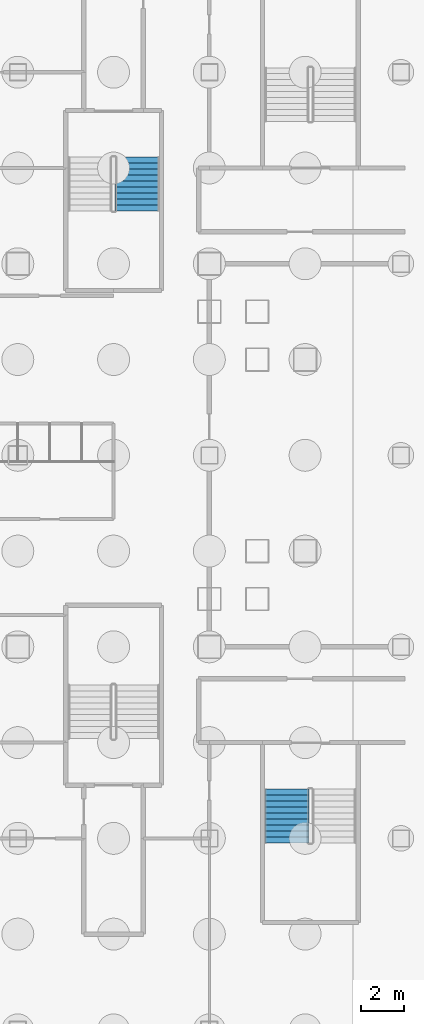
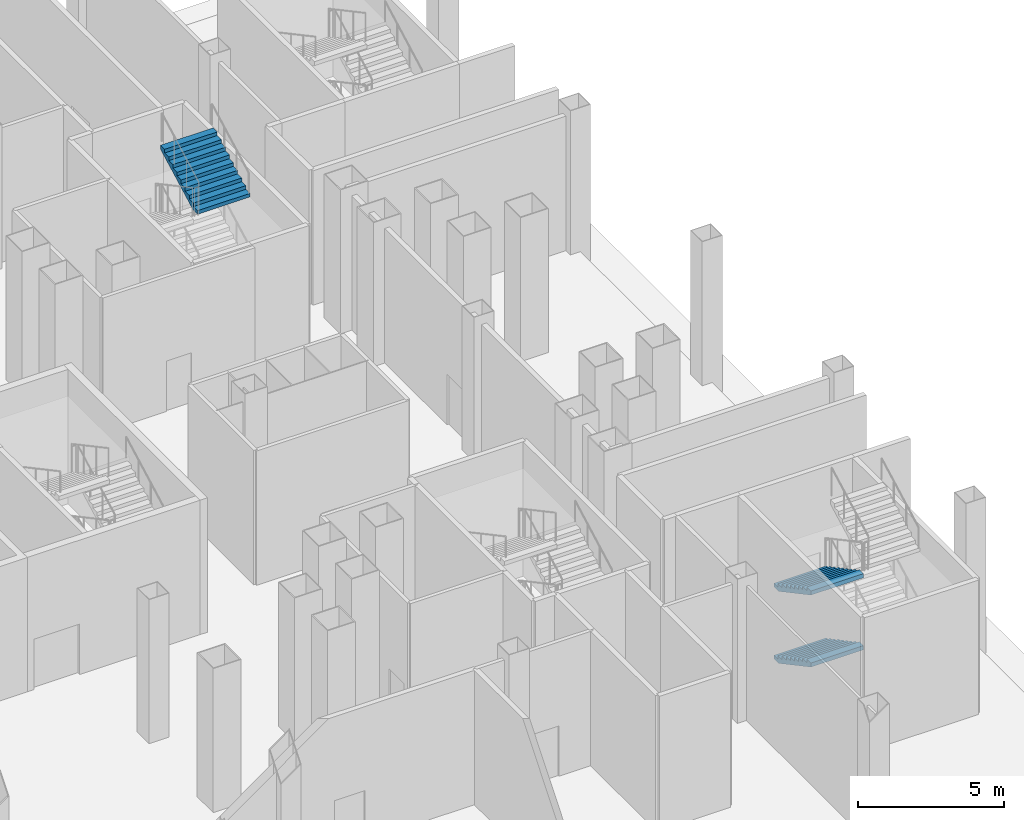
# One storey, part 17 of 25: 3 stair flights, 2 elements without a shape of their own.
"""IFC4 building model written with IfcOpenShell, lengths in metres."""

from ifc_helpers import new_model, si_unit, direction, frame, origin, place, context, subcontext, project, spatial, polygons, material, type_object, element, aggregate, save


model = new_model("IFC4")

# Units and contexts
model_context = context("Model", 3, precision=1e-05, world=origin(), true_north=direction((0.0, 1.0)))
body_context = subcontext(model_context, "Body", "Model", "MODEL_VIEW")
ifc_project = project(units=[si_unit("LENGTHUNIT", "METRE"), si_unit("AREAUNIT", "SQUARE_METRE"), si_unit("VOLUMEUNIT", "CUBIC_METRE"), si_unit("PLANEANGLEUNIT", "RADIAN"), si_unit("MASSUNIT", "GRAM", prefix="KILO")], contexts=[model_context])

# Site, building, storey
site_placement = place(None, origin())
site = spatial("IfcSite", under=ifc_project, at=site_placement, CompositionType="ELEMENT")
building_placement = place(site_placement, origin())
building = spatial("IfcBuilding", under=site, at=building_placement, Name="Caravel Reach Hotel and Residences", CompositionType="ELEMENT")
storey_placement = place(building_placement, frame((0.0, 0.0, -6.0)))
storey = spatial("IfcBuildingStorey", under=building, at=storey_placement, Name="B1", CompositionType="ELEMENT", Elevation=-6.0)

# Stair, stair flight
ifc_material_1 = material(Name="Concrete C40", Category="concrete")
stair_type = type_object("IfcStairType", Name="Core stair", PredefinedType="HALF_TURN_STAIR", material=ifc_material_1)
stair_1_placement = place(storey_placement, origin())
stair_1 = element("IfcStair", 1, at=stair_1_placement, inside=storey, type_object=stair_type, Name="B1 Exit stair P2", PredefinedType="HALF_TURN_STAIR")
ifc_material_2 = material(Name="Concrete C40", Category="concrete")
stair_flight_type = type_object("IfcStairFlightType", Name="Core stair flight", PredefinedType="STRAIGHT", material=ifc_material_2)
stair_flight_1_placement = place(storey_placement, frame((55.110107421875, 38.489990234375, 4.5), z_axis=(0.0, 0.0, 1.0), x_axis=(0.0, 1.0, 0.0)))
stair_flight_1 = element("IfcStairFlight", 2, at=stair_flight_1_placement, type_object=stair_flight_type, Name="ST-P2 flight 4", NumberOfRisers=10, NumberOfTreads=9, PredefinedType="STRAIGHT", RiserHeight=0.15, TreadLength=0.28, context=body_context, shape_type="Tessellation", body=[
    polygons([(0.3174408016601862, 1.0350341796875, 0.0), (0.3174408016601862, 0.6900227864583333, 0.0), (0.3174408016601862, 0.34501139322916663, 0.0), (0.3174408016601862, 0.0, 0.0), (0.3174408016601862, -0.34501139322916674, 0.0), (0.3174408016601862, -0.6900227864583333, 0.0), (0.3174408016601862, -1.0350341796875, 0.0), (2.5210000000000004, 1.0350341796875, 1.1799424276820432), (2.5210000000000004, 0.6900227864583333, 1.1799424276820432), (2.5210000000000004, 0.34501139322916663, 1.1799424276820432), (2.5210000000000004, 0.0, 1.1799424276820432), (2.5210000000000004, -0.34501139322916674, 1.1799424276820432), (2.5210000000000004, -0.6900227864583333, 1.1799424276820432), (2.5210000000000004, -1.0350341796875, 1.1799424276820432), (2.5210000000000004, 1.0350341796875, 1.3499999999999999), (2.5210000000000004, 0.6900227864583333, 1.3499999999999999), (2.5210000000000004, 0.34501139322916663, 1.3499999999999999), (2.5210000000000004, 0.0, 1.3499999999999999), (2.5210000000000004, -0.34501139322916674, 1.3499999999999999), (2.5210000000000004, -0.6900227864583333, 1.3499999999999999), (2.5210000000000004, -1.0350341796875, 1.3499999999999999), (2.24, 1.0350341796875, 1.3499999999999999), (2.24, 0.6900227864583333, 1.3499999999999999), (2.24, 0.34501139322916663, 1.3499999999999999), (2.24, 0.0, 1.3499999999999999), (2.24, -0.34501139322916674, 1.3499999999999999), (2.24, -0.6900227864583333, 1.3499999999999999), (2.24, -1.0350341796875, 1.3499999999999999), (2.24, 1.0350341796875, 1.2), (2.24, 0.6900227864583333, 1.2), (2.24, 0.34501139322916663, 1.2), (2.24, 0.0, 1.2), (2.24, -0.34501139322916674, 1.2), (2.24, -0.6900227864583333, 1.2), (2.24, -1.0350341796875, 1.2), (1.9600000000000002, 1.0350341796875, 1.2), (1.9600000000000002, 0.6900227864583333, 1.2), (1.9600000000000002, 0.34501139322916663, 1.2), (1.9600000000000002, 0.0, 1.2), (1.9600000000000002, -0.34501139322916674, 1.2), (1.9600000000000002, -0.6900227864583333, 1.2), (1.9600000000000002, -1.0350341796875, 1.2), (1.9600000000000002, 1.0350341796875, 1.05), (1.9600000000000002, 0.6900227864583333, 1.05), (1.9600000000000002, 0.34501139322916663, 1.05), (1.9600000000000002, 0.0, 1.05), (1.9600000000000002, -0.34501139322916674, 1.05), (1.9600000000000002, -0.6900227864583333, 1.05), (1.9600000000000002, -1.0350341796875, 1.05), (1.6800000000000002, 1.0350341796875, 1.05), (1.6800000000000002, 0.6900227864583333, 1.05), (1.6800000000000002, 0.34501139322916663, 1.05), (1.6800000000000002, 0.0, 1.05), (1.6800000000000002, -0.34501139322916674, 1.05), (1.6800000000000002, -0.6900227864583333, 1.05), (1.6800000000000002, -1.0350341796875, 1.05), (1.6800000000000002, 1.0350341796875, 0.8999999999999999), (1.6800000000000002, 0.6900227864583333, 0.8999999999999999), (1.6800000000000002, 0.34501139322916663, 0.8999999999999999), (1.6800000000000002, 0.0, 0.8999999999999999), (1.6800000000000002, -0.34501139322916674, 0.8999999999999999), (1.6800000000000002, -0.6900227864583333, 0.8999999999999999), (1.6800000000000002, -1.0350341796875, 0.8999999999999999), (1.4000000000000001, 1.0350341796875, 0.8999999999999999), (1.4000000000000001, 0.6900227864583333, 0.8999999999999999), (1.4000000000000001, 0.34501139322916663, 0.8999999999999999), (1.4000000000000001, 0.0, 0.8999999999999999), (1.4000000000000001, -0.34501139322916674, 0.8999999999999999), (1.4000000000000001, -0.6900227864583333, 0.8999999999999999), (1.4000000000000001, -1.0350341796875, 0.8999999999999999), (1.4000000000000001, 1.0350341796875, 0.75), (1.4000000000000001, 0.6900227864583333, 0.75), (1.4000000000000001, 0.34501139322916663, 0.75), (1.4000000000000001, 0.0, 0.75), (1.4000000000000001, -0.34501139322916674, 0.75), (1.4000000000000001, -0.6900227864583333, 0.75), (1.4000000000000001, -1.0350341796875, 0.75), (1.12, 1.0350341796875, 0.75), (1.12, 0.6900227864583333, 0.75), (1.12, 0.34501139322916663, 0.75), (1.12, 0.0, 0.75), (1.12, -0.34501139322916674, 0.75), (1.12, -0.6900227864583333, 0.75), (1.12, -1.0350341796875, 0.75), (1.12, 1.0350341796875, 0.6), (1.12, 0.6900227864583333, 0.6), (1.12, 0.34501139322916663, 0.6), (1.12, 0.0, 0.6), (1.12, -0.34501139322916674, 0.6), (1.12, -0.6900227864583333, 0.6), (1.12, -1.0350341796875, 0.6), (0.8400000000000001, 1.0350341796875, 0.6), (0.8400000000000001, 0.6900227864583333, 0.6), (0.8400000000000001, 0.34501139322916663, 0.6), (0.8400000000000001, 0.0, 0.6), (0.8400000000000001, -0.34501139322916674, 0.6), (0.8400000000000001, -0.6900227864583333, 0.6), (0.8400000000000001, -1.0350341796875, 0.6), (0.8400000000000001, 1.0350341796875, 0.44999999999999996), (0.8400000000000001, 0.6900227864583333, 0.44999999999999996), (0.8400000000000001, 0.34501139322916663, 0.44999999999999996), (0.8400000000000001, 0.0, 0.44999999999999996), (0.8400000000000001, -0.34501139322916674, 0.44999999999999996), (0.8400000000000001, -0.6900227864583333, 0.44999999999999996), (0.8400000000000001, -1.0350341796875, 0.44999999999999996), (0.56, 1.0350341796875, 0.44999999999999996), (0.56, 0.6900227864583333, 0.44999999999999996), (0.56, 0.34501139322916663, 0.44999999999999996), (0.56, 0.0, 0.44999999999999996), (0.56, -0.34501139322916674, 0.44999999999999996), (0.56, -0.6900227864583333, 0.44999999999999996), (0.56, -1.0350341796875, 0.44999999999999996), (0.56, 1.0350341796875, 0.3), (0.56, 0.6900227864583333, 0.3), (0.56, 0.34501139322916663, 0.3), (0.56, 0.0, 0.3), (0.56, -0.34501139322916674, 0.3), (0.56, -0.6900227864583333, 0.3), (0.56, -1.0350341796875, 0.3), (0.28, 1.0350341796875, 0.3), (0.28, 0.6900227864583333, 0.3), (0.28, 0.34501139322916663, 0.3), (0.28, 0.0, 0.3), (0.28, -0.34501139322916674, 0.3), (0.28, -0.6900227864583333, 0.3), (0.28, -1.0350341796875, 0.3), (0.28, 1.0350341796875, 0.15), (0.28, 0.6900227864583333, 0.15), (0.28, 0.34501139322916663, 0.15), (0.28, 0.0, 0.15), (0.28, -0.34501139322916674, 0.15), (0.28, -0.6900227864583333, 0.15), (0.28, -1.0350341796875, 0.15), (-0.001, 1.0350341796875, 0.15), (-0.001, 0.6900227864583333, 0.15), (-0.001, 0.34501139322916663, 0.15), (-0.001, 0.0, 0.15), (-0.001, -0.34501139322916674, 0.15), (-0.001, -0.6900227864583333, 0.15), (-0.001, -1.0350341796875, 0.15), (-0.001, 1.0350341796875, 0.0), (-0.001, 0.6900227864583333, 0.0), (-0.001, 0.34501139322916663, 0.0), (-0.001, 0.0, 0.0), (-0.001, -0.34501139322916674, 0.0), (-0.001, -0.6900227864583333, 0.0), (-0.001, -1.0350341796875, 0.0)], [[[141, 134, 127, 120, 113, 106, 99, 92, 85, 78, 71, 64, 57, 50, 43, 36, 29, 22, 15, 8, 1]], [[7, 14, 21, 28, 35, 42, 49, 56, 63, 70, 77, 84, 91, 98, 105, 112, 119, 126, 133, 140, 147]], [[1, 8, 9, 2]], [[2, 9, 10, 3]], [[3, 10, 11, 4]], [[4, 11, 12, 5]], [[5, 12, 13, 6]], [[6, 13, 14, 7]], [[8, 15, 16, 9]], [[9, 16, 17, 10]], [[10, 17, 18, 11]], [[11, 18, 19, 12]], [[12, 19, 20, 13]], [[13, 20, 21, 14]], [[15, 22, 23, 16]], [[16, 23, 24, 17]], [[17, 24, 25, 18]], [[18, 25, 26, 19]], [[19, 26, 27, 20]], [[20, 27, 28, 21]], [[22, 29, 30, 23]], [[23, 30, 31, 24]], [[24, 31, 32, 25]], [[25, 32, 33, 26]], [[26, 33, 34, 27]], [[27, 34, 35, 28]], [[29, 36, 37, 30]], [[30, 37, 38, 31]], [[31, 38, 39, 32]], [[32, 39, 40, 33]], [[33, 40, 41, 34]], [[34, 41, 42, 35]], [[36, 43, 44, 37]], [[37, 44, 45, 38]], [[38, 45, 46, 39]], [[39, 46, 47, 40]], [[40, 47, 48, 41]], [[41, 48, 49, 42]], [[43, 50, 51, 44]], [[44, 51, 52, 45]], [[45, 52, 53, 46]], [[46, 53, 54, 47]], [[47, 54, 55, 48]], [[48, 55, 56, 49]], [[50, 57, 58, 51]], [[51, 58, 59, 52]], [[52, 59, 60, 53]], [[53, 60, 61, 54]], [[54, 61, 62, 55]], [[55, 62, 63, 56]], [[57, 64, 65, 58]], [[58, 65, 66, 59]], [[59, 66, 67, 60]], [[60, 67, 68, 61]], [[61, 68, 69, 62]], [[62, 69, 70, 63]], [[64, 71, 72, 65]], [[65, 72, 73, 66]], [[66, 73, 74, 67]], [[67, 74, 75, 68]], [[68, 75, 76, 69]], [[69, 76, 77, 70]], [[71, 78, 79, 72]], [[72, 79, 80, 73]], [[73, 80, 81, 74]], [[74, 81, 82, 75]], [[75, 82, 83, 76]], [[76, 83, 84, 77]], [[78, 85, 86, 79]], [[79, 86, 87, 80]], [[80, 87, 88, 81]], [[81, 88, 89, 82]], [[82, 89, 90, 83]], [[83, 90, 91, 84]], [[85, 92, 93, 86]], [[86, 93, 94, 87]], [[87, 94, 95, 88]], [[88, 95, 96, 89]], [[89, 96, 97, 90]], [[90, 97, 98, 91]], [[92, 99, 100, 93]], [[93, 100, 101, 94]], [[94, 101, 102, 95]], [[95, 102, 103, 96]], [[96, 103, 104, 97]], [[97, 104, 105, 98]], [[99, 106, 107, 100]], [[100, 107, 108, 101]], [[101, 108, 109, 102]], [[102, 109, 110, 103]], [[103, 110, 111, 104]], [[104, 111, 112, 105]], [[106, 113, 114, 107]], [[107, 114, 115, 108]], [[108, 115, 116, 109]], [[109, 116, 117, 110]], [[110, 117, 118, 111]], [[111, 118, 119, 112]], [[113, 120, 121, 114]], [[114, 121, 122, 115]], [[115, 122, 123, 116]], [[116, 123, 124, 117]], [[117, 124, 125, 118]], [[118, 125, 126, 119]], [[120, 127, 128, 121]], [[121, 128, 129, 122]], [[122, 129, 130, 123]], [[123, 130, 131, 124]], [[124, 131, 132, 125]], [[125, 132, 133, 126]], [[127, 134, 135, 128]], [[128, 135, 136, 129]], [[129, 136, 137, 130]], [[130, 137, 138, 131]], [[131, 138, 139, 132]], [[132, 139, 140, 133]], [[134, 141, 142, 135]], [[135, 142, 143, 136]], [[136, 143, 144, 137]], [[137, 144, 145, 138]], [[138, 145, 146, 139]], [[139, 146, 147, 140]], [[141, 1, 2, 142]], [[142, 2, 3, 143]], [[143, 3, 4, 144]], [[144, 4, 5, 145]], [[145, 5, 6, 146]], [[146, 6, 7, 147]]], closed=True),
])
aggregate(stair_1, [stair_flight_1])

# Stair, stair flights
stair_2_placement = place(storey_placement, origin())
stair_2 = element("IfcStair", 3, at=stair_2_placement, inside=storey, type_object=stair_type, Name="B1 Exit stair P7", PredefinedType="HALF_TURN_STAIR")
stair_flight_2_placement = place(storey_placement, frame((62.139892578125, 11.31005859375, 0.0), z_axis=(0.0, 0.0, 1.0), x_axis=(0.0, -1.0, 0.0)))
stair_flight_2 = element("IfcStairFlight", 4, at=stair_flight_2_placement, type_object=stair_flight_type, Name="ST-P7 flight 1", NumberOfRisers=10, NumberOfTreads=9, PredefinedType="STRAIGHT", RiserHeight=0.15, TreadLength=0.28, context=body_context, shape_type="Tessellation", body=[
    polygons([(0.3174408016601862, 1.0350341796875, 0.0), (0.3174408016601862, 0.6900227864583333, 0.0), (0.3174408016601862, 0.34501139322916663, 0.0), (0.3174408016601862, 0.0, 0.0), (0.3174408016601862, -0.34501139322916674, 0.0), (0.3174408016601862, -0.6900227864583333, 0.0), (0.3174408016601862, -1.0350341796875, 0.0), (2.5210000000000004, 1.0350341796875, 1.1799424276820432), (2.5210000000000004, 0.6900227864583333, 1.1799424276820432), (2.5210000000000004, 0.34501139322916663, 1.1799424276820432), (2.5210000000000004, 0.0, 1.1799424276820432), (2.5210000000000004, -0.34501139322916674, 1.1799424276820432), (2.5210000000000004, -0.6900227864583333, 1.1799424276820432), (2.5210000000000004, -1.0350341796875, 1.1799424276820432), (2.5210000000000004, 1.0350341796875, 1.3499999999999999), (2.5210000000000004, 0.6900227864583333, 1.3499999999999999), (2.5210000000000004, 0.34501139322916663, 1.3499999999999999), (2.5210000000000004, 0.0, 1.3499999999999999), (2.5210000000000004, -0.34501139322916674, 1.3499999999999999), (2.5210000000000004, -0.6900227864583333, 1.3499999999999999), (2.5210000000000004, -1.0350341796875, 1.3499999999999999), (2.24, 1.0350341796875, 1.3499999999999999), (2.24, 0.6900227864583333, 1.3499999999999999), (2.24, 0.34501139322916663, 1.3499999999999999), (2.24, 0.0, 1.3499999999999999), (2.24, -0.34501139322916674, 1.3499999999999999), (2.24, -0.6900227864583333, 1.3499999999999999), (2.24, -1.0350341796875, 1.3499999999999999), (2.24, 1.0350341796875, 1.2), (2.24, 0.6900227864583333, 1.2), (2.24, 0.34501139322916663, 1.2), (2.24, 0.0, 1.2), (2.24, -0.34501139322916674, 1.2), (2.24, -0.6900227864583333, 1.2), (2.24, -1.0350341796875, 1.2), (1.9600000000000002, 1.0350341796875, 1.2), (1.9600000000000002, 0.6900227864583333, 1.2), (1.9600000000000002, 0.34501139322916663, 1.2), (1.9600000000000002, 0.0, 1.2), (1.9600000000000002, -0.34501139322916674, 1.2), (1.9600000000000002, -0.6900227864583333, 1.2), (1.9600000000000002, -1.0350341796875, 1.2), (1.9600000000000002, 1.0350341796875, 1.05), (1.9600000000000002, 0.6900227864583333, 1.05), (1.9600000000000002, 0.34501139322916663, 1.05), (1.9600000000000002, 0.0, 1.05), (1.9600000000000002, -0.34501139322916674, 1.05), (1.9600000000000002, -0.6900227864583333, 1.05), (1.9600000000000002, -1.0350341796875, 1.05), (1.6800000000000002, 1.0350341796875, 1.05), (1.6800000000000002, 0.6900227864583333, 1.05), (1.6800000000000002, 0.34501139322916663, 1.05), (1.6800000000000002, 0.0, 1.05), (1.6800000000000002, -0.34501139322916674, 1.05), (1.6800000000000002, -0.6900227864583333, 1.05), (1.6800000000000002, -1.0350341796875, 1.05), (1.6800000000000002, 1.0350341796875, 0.8999999999999999), (1.6800000000000002, 0.6900227864583333, 0.8999999999999999), (1.6800000000000002, 0.34501139322916663, 0.8999999999999999), (1.6800000000000002, 0.0, 0.8999999999999999), (1.6800000000000002, -0.34501139322916674, 0.8999999999999999), (1.6800000000000002, -0.6900227864583333, 0.8999999999999999), (1.6800000000000002, -1.0350341796875, 0.8999999999999999), (1.4000000000000001, 1.0350341796875, 0.8999999999999999), (1.4000000000000001, 0.6900227864583333, 0.8999999999999999), (1.4000000000000001, 0.34501139322916663, 0.8999999999999999), (1.4000000000000001, 0.0, 0.8999999999999999), (1.4000000000000001, -0.34501139322916674, 0.8999999999999999), (1.4000000000000001, -0.6900227864583333, 0.8999999999999999), (1.4000000000000001, -1.0350341796875, 0.8999999999999999), (1.4000000000000001, 1.0350341796875, 0.75), (1.4000000000000001, 0.6900227864583333, 0.75), (1.4000000000000001, 0.34501139322916663, 0.75), (1.4000000000000001, 0.0, 0.75), (1.4000000000000001, -0.34501139322916674, 0.75), (1.4000000000000001, -0.6900227864583333, 0.75), (1.4000000000000001, -1.0350341796875, 0.75), (1.12, 1.0350341796875, 0.75), (1.12, 0.6900227864583333, 0.75), (1.12, 0.34501139322916663, 0.75), (1.12, 0.0, 0.75), (1.12, -0.34501139322916674, 0.75), (1.12, -0.6900227864583333, 0.75), (1.12, -1.0350341796875, 0.75), (1.12, 1.0350341796875, 0.6), (1.12, 0.6900227864583333, 0.6), (1.12, 0.34501139322916663, 0.6), (1.12, 0.0, 0.6), (1.12, -0.34501139322916674, 0.6), (1.12, -0.6900227864583333, 0.6), (1.12, -1.0350341796875, 0.6), (0.8400000000000001, 1.0350341796875, 0.6), (0.8400000000000001, 0.6900227864583333, 0.6), (0.8400000000000001, 0.34501139322916663, 0.6), (0.8400000000000001, 0.0, 0.6), (0.8400000000000001, -0.34501139322916674, 0.6), (0.8400000000000001, -0.6900227864583333, 0.6), (0.8400000000000001, -1.0350341796875, 0.6), (0.8400000000000001, 1.0350341796875, 0.44999999999999996), (0.8400000000000001, 0.6900227864583333, 0.44999999999999996), (0.8400000000000001, 0.34501139322916663, 0.44999999999999996), (0.8400000000000001, 0.0, 0.44999999999999996), (0.8400000000000001, -0.34501139322916674, 0.44999999999999996), (0.8400000000000001, -0.6900227864583333, 0.44999999999999996), (0.8400000000000001, -1.0350341796875, 0.44999999999999996), (0.56, 1.0350341796875, 0.44999999999999996), (0.56, 0.6900227864583333, 0.44999999999999996), (0.56, 0.34501139322916663, 0.44999999999999996), (0.56, 0.0, 0.44999999999999996), (0.56, -0.34501139322916674, 0.44999999999999996), (0.56, -0.6900227864583333, 0.44999999999999996), (0.56, -1.0350341796875, 0.44999999999999996), (0.56, 1.0350341796875, 0.3), (0.56, 0.6900227864583333, 0.3), (0.56, 0.34501139322916663, 0.3), (0.56, 0.0, 0.3), (0.56, -0.34501139322916674, 0.3), (0.56, -0.6900227864583333, 0.3), (0.56, -1.0350341796875, 0.3), (0.28, 1.0350341796875, 0.3), (0.28, 0.6900227864583333, 0.3), (0.28, 0.34501139322916663, 0.3), (0.28, 0.0, 0.3), (0.28, -0.34501139322916674, 0.3), (0.28, -0.6900227864583333, 0.3), (0.28, -1.0350341796875, 0.3), (0.28, 1.0350341796875, 0.15), (0.28, 0.6900227864583333, 0.15), (0.28, 0.34501139322916663, 0.15), (0.28, 0.0, 0.15), (0.28, -0.34501139322916674, 0.15), (0.28, -0.6900227864583333, 0.15), (0.28, -1.0350341796875, 0.15), (-0.001, 1.0350341796875, 0.15), (-0.001, 0.6900227864583333, 0.15), (-0.001, 0.34501139322916663, 0.15), (-0.001, 0.0, 0.15), (-0.001, -0.34501139322916674, 0.15), (-0.001, -0.6900227864583333, 0.15), (-0.001, -1.0350341796875, 0.15), (-0.001, 1.0350341796875, 0.0), (-0.001, 0.6900227864583333, 0.0), (-0.001, 0.34501139322916663, 0.0), (-0.001, 0.0, 0.0), (-0.001, -0.34501139322916674, 0.0), (-0.001, -0.6900227864583333, 0.0), (-0.001, -1.0350341796875, 0.0)], [[[141, 134, 127, 120, 113, 106, 99, 92, 85, 78, 71, 64, 57, 50, 43, 36, 29, 22, 15, 8, 1]], [[7, 14, 21, 28, 35, 42, 49, 56, 63, 70, 77, 84, 91, 98, 105, 112, 119, 126, 133, 140, 147]], [[1, 8, 9, 2]], [[2, 9, 10, 3]], [[3, 10, 11, 4]], [[4, 11, 12, 5]], [[5, 12, 13, 6]], [[6, 13, 14, 7]], [[8, 15, 16, 9]], [[9, 16, 17, 10]], [[10, 17, 18, 11]], [[11, 18, 19, 12]], [[12, 19, 20, 13]], [[13, 20, 21, 14]], [[15, 22, 23, 16]], [[16, 23, 24, 17]], [[17, 24, 25, 18]], [[18, 25, 26, 19]], [[19, 26, 27, 20]], [[20, 27, 28, 21]], [[22, 29, 30, 23]], [[23, 30, 31, 24]], [[24, 31, 32, 25]], [[25, 32, 33, 26]], [[26, 33, 34, 27]], [[27, 34, 35, 28]], [[29, 36, 37, 30]], [[30, 37, 38, 31]], [[31, 38, 39, 32]], [[32, 39, 40, 33]], [[33, 40, 41, 34]], [[34, 41, 42, 35]], [[36, 43, 44, 37]], [[37, 44, 45, 38]], [[38, 45, 46, 39]], [[39, 46, 47, 40]], [[40, 47, 48, 41]], [[41, 48, 49, 42]], [[43, 50, 51, 44]], [[44, 51, 52, 45]], [[45, 52, 53, 46]], [[46, 53, 54, 47]], [[47, 54, 55, 48]], [[48, 55, 56, 49]], [[50, 57, 58, 51]], [[51, 58, 59, 52]], [[52, 59, 60, 53]], [[53, 60, 61, 54]], [[54, 61, 62, 55]], [[55, 62, 63, 56]], [[57, 64, 65, 58]], [[58, 65, 66, 59]], [[59, 66, 67, 60]], [[60, 67, 68, 61]], [[61, 68, 69, 62]], [[62, 69, 70, 63]], [[64, 71, 72, 65]], [[65, 72, 73, 66]], [[66, 73, 74, 67]], [[67, 74, 75, 68]], [[68, 75, 76, 69]], [[69, 76, 77, 70]], [[71, 78, 79, 72]], [[72, 79, 80, 73]], [[73, 80, 81, 74]], [[74, 81, 82, 75]], [[75, 82, 83, 76]], [[76, 83, 84, 77]], [[78, 85, 86, 79]], [[79, 86, 87, 80]], [[80, 87, 88, 81]], [[81, 88, 89, 82]], [[82, 89, 90, 83]], [[83, 90, 91, 84]], [[85, 92, 93, 86]], [[86, 93, 94, 87]], [[87, 94, 95, 88]], [[88, 95, 96, 89]], [[89, 96, 97, 90]], [[90, 97, 98, 91]], [[92, 99, 100, 93]], [[93, 100, 101, 94]], [[94, 101, 102, 95]], [[95, 102, 103, 96]], [[96, 103, 104, 97]], [[97, 104, 105, 98]], [[99, 106, 107, 100]], [[100, 107, 108, 101]], [[101, 108, 109, 102]], [[102, 109, 110, 103]], [[103, 110, 111, 104]], [[104, 111, 112, 105]], [[106, 113, 114, 107]], [[107, 114, 115, 108]], [[108, 115, 116, 109]], [[109, 116, 117, 110]], [[110, 117, 118, 111]], [[111, 118, 119, 112]], [[113, 120, 121, 114]], [[114, 121, 122, 115]], [[115, 122, 123, 116]], [[116, 123, 124, 117]], [[117, 124, 125, 118]], [[118, 125, 126, 119]], [[120, 127, 128, 121]], [[121, 128, 129, 122]], [[122, 129, 130, 123]], [[123, 130, 131, 124]], [[124, 131, 132, 125]], [[125, 132, 133, 126]], [[127, 134, 135, 128]], [[128, 135, 136, 129]], [[129, 136, 137, 130]], [[130, 137, 138, 131]], [[131, 138, 139, 132]], [[132, 139, 140, 133]], [[134, 141, 142, 135]], [[135, 142, 143, 136]], [[136, 143, 144, 137]], [[137, 144, 145, 138]], [[138, 145, 146, 139]], [[139, 146, 147, 140]], [[141, 1, 2, 142]], [[142, 2, 3, 143]], [[143, 3, 4, 144]], [[144, 4, 5, 145]], [[145, 5, 6, 146]], [[146, 6, 7, 147]]], closed=True),
])
stair_flight_3_placement = place(storey_placement, frame((62.139892578125, 11.31005859375, 3.0), z_axis=(0.0, 0.0, 1.0), x_axis=(0.0, -1.0, 0.0)))
stair_flight_3 = element("IfcStairFlight", 5, at=stair_flight_3_placement, type_object=stair_flight_type, Name="ST-P7 flight 3", NumberOfRisers=10, NumberOfTreads=9, PredefinedType="STRAIGHT", RiserHeight=0.15, TreadLength=0.28, context=body_context, shape_type="Tessellation", body=[
    polygons([(0.3174408016601862, 1.0350341796875, 0.0), (0.3174408016601862, 0.6900227864583333, 0.0), (0.3174408016601862, 0.34501139322916663, 0.0), (0.3174408016601862, 0.0, 0.0), (0.3174408016601862, -0.34501139322916674, 0.0), (0.3174408016601862, -0.6900227864583333, 0.0), (0.3174408016601862, -1.0350341796875, 0.0), (2.5210000000000004, 1.0350341796875, 1.1799424276820432), (2.5210000000000004, 0.6900227864583333, 1.1799424276820432), (2.5210000000000004, 0.34501139322916663, 1.1799424276820432), (2.5210000000000004, 0.0, 1.1799424276820432), (2.5210000000000004, -0.34501139322916674, 1.1799424276820432), (2.5210000000000004, -0.6900227864583333, 1.1799424276820432), (2.5210000000000004, -1.0350341796875, 1.1799424276820432), (2.5210000000000004, 1.0350341796875, 1.3499999999999999), (2.5210000000000004, 0.6900227864583333, 1.3499999999999999), (2.5210000000000004, 0.34501139322916663, 1.3499999999999999), (2.5210000000000004, 0.0, 1.3499999999999999), (2.5210000000000004, -0.34501139322916674, 1.3499999999999999), (2.5210000000000004, -0.6900227864583333, 1.3499999999999999), (2.5210000000000004, -1.0350341796875, 1.3499999999999999), (2.24, 1.0350341796875, 1.3499999999999999), (2.24, 0.6900227864583333, 1.3499999999999999), (2.24, 0.34501139322916663, 1.3499999999999999), (2.24, 0.0, 1.3499999999999999), (2.24, -0.34501139322916674, 1.3499999999999999), (2.24, -0.6900227864583333, 1.3499999999999999), (2.24, -1.0350341796875, 1.3499999999999999), (2.24, 1.0350341796875, 1.2), (2.24, 0.6900227864583333, 1.2), (2.24, 0.34501139322916663, 1.2), (2.24, 0.0, 1.2), (2.24, -0.34501139322916674, 1.2), (2.24, -0.6900227864583333, 1.2), (2.24, -1.0350341796875, 1.2), (1.9600000000000002, 1.0350341796875, 1.2), (1.9600000000000002, 0.6900227864583333, 1.2), (1.9600000000000002, 0.34501139322916663, 1.2), (1.9600000000000002, 0.0, 1.2), (1.9600000000000002, -0.34501139322916674, 1.2), (1.9600000000000002, -0.6900227864583333, 1.2), (1.9600000000000002, -1.0350341796875, 1.2), (1.9600000000000002, 1.0350341796875, 1.05), (1.9600000000000002, 0.6900227864583333, 1.05), (1.9600000000000002, 0.34501139322916663, 1.05), (1.9600000000000002, 0.0, 1.05), (1.9600000000000002, -0.34501139322916674, 1.05), (1.9600000000000002, -0.6900227864583333, 1.05), (1.9600000000000002, -1.0350341796875, 1.05), (1.6800000000000002, 1.0350341796875, 1.05), (1.6800000000000002, 0.6900227864583333, 1.05), (1.6800000000000002, 0.34501139322916663, 1.05), (1.6800000000000002, 0.0, 1.05), (1.6800000000000002, -0.34501139322916674, 1.05), (1.6800000000000002, -0.6900227864583333, 1.05), (1.6800000000000002, -1.0350341796875, 1.05), (1.6800000000000002, 1.0350341796875, 0.8999999999999999), (1.6800000000000002, 0.6900227864583333, 0.8999999999999999), (1.6800000000000002, 0.34501139322916663, 0.8999999999999999), (1.6800000000000002, 0.0, 0.8999999999999999), (1.6800000000000002, -0.34501139322916674, 0.8999999999999999), (1.6800000000000002, -0.6900227864583333, 0.8999999999999999), (1.6800000000000002, -1.0350341796875, 0.8999999999999999), (1.4000000000000001, 1.0350341796875, 0.8999999999999999), (1.4000000000000001, 0.6900227864583333, 0.8999999999999999), (1.4000000000000001, 0.34501139322916663, 0.8999999999999999), (1.4000000000000001, 0.0, 0.8999999999999999), (1.4000000000000001, -0.34501139322916674, 0.8999999999999999), (1.4000000000000001, -0.6900227864583333, 0.8999999999999999), (1.4000000000000001, -1.0350341796875, 0.8999999999999999), (1.4000000000000001, 1.0350341796875, 0.75), (1.4000000000000001, 0.6900227864583333, 0.75), (1.4000000000000001, 0.34501139322916663, 0.75), (1.4000000000000001, 0.0, 0.75), (1.4000000000000001, -0.34501139322916674, 0.75), (1.4000000000000001, -0.6900227864583333, 0.75), (1.4000000000000001, -1.0350341796875, 0.75), (1.12, 1.0350341796875, 0.75), (1.12, 0.6900227864583333, 0.75), (1.12, 0.34501139322916663, 0.75), (1.12, 0.0, 0.75), (1.12, -0.34501139322916674, 0.75), (1.12, -0.6900227864583333, 0.75), (1.12, -1.0350341796875, 0.75), (1.12, 1.0350341796875, 0.6), (1.12, 0.6900227864583333, 0.6), (1.12, 0.34501139322916663, 0.6), (1.12, 0.0, 0.6), (1.12, -0.34501139322916674, 0.6), (1.12, -0.6900227864583333, 0.6), (1.12, -1.0350341796875, 0.6), (0.8400000000000001, 1.0350341796875, 0.6), (0.8400000000000001, 0.6900227864583333, 0.6), (0.8400000000000001, 0.34501139322916663, 0.6), (0.8400000000000001, 0.0, 0.6), (0.8400000000000001, -0.34501139322916674, 0.6), (0.8400000000000001, -0.6900227864583333, 0.6), (0.8400000000000001, -1.0350341796875, 0.6), (0.8400000000000001, 1.0350341796875, 0.44999999999999996), (0.8400000000000001, 0.6900227864583333, 0.44999999999999996), (0.8400000000000001, 0.34501139322916663, 0.44999999999999996), (0.8400000000000001, 0.0, 0.44999999999999996), (0.8400000000000001, -0.34501139322916674, 0.44999999999999996), (0.8400000000000001, -0.6900227864583333, 0.44999999999999996), (0.8400000000000001, -1.0350341796875, 0.44999999999999996), (0.56, 1.0350341796875, 0.44999999999999996), (0.56, 0.6900227864583333, 0.44999999999999996), (0.56, 0.34501139322916663, 0.44999999999999996), (0.56, 0.0, 0.44999999999999996), (0.56, -0.34501139322916674, 0.44999999999999996), (0.56, -0.6900227864583333, 0.44999999999999996), (0.56, -1.0350341796875, 0.44999999999999996), (0.56, 1.0350341796875, 0.3), (0.56, 0.6900227864583333, 0.3), (0.56, 0.34501139322916663, 0.3), (0.56, 0.0, 0.3), (0.56, -0.34501139322916674, 0.3), (0.56, -0.6900227864583333, 0.3), (0.56, -1.0350341796875, 0.3), (0.28, 1.0350341796875, 0.3), (0.28, 0.6900227864583333, 0.3), (0.28, 0.34501139322916663, 0.3), (0.28, 0.0, 0.3), (0.28, -0.34501139322916674, 0.3), (0.28, -0.6900227864583333, 0.3), (0.28, -1.0350341796875, 0.3), (0.28, 1.0350341796875, 0.15), (0.28, 0.6900227864583333, 0.15), (0.28, 0.34501139322916663, 0.15), (0.28, 0.0, 0.15), (0.28, -0.34501139322916674, 0.15), (0.28, -0.6900227864583333, 0.15), (0.28, -1.0350341796875, 0.15), (-0.001, 1.0350341796875, 0.15), (-0.001, 0.6900227864583333, 0.15), (-0.001, 0.34501139322916663, 0.15), (-0.001, 0.0, 0.15), (-0.001, -0.34501139322916674, 0.15), (-0.001, -0.6900227864583333, 0.15), (-0.001, -1.0350341796875, 0.15), (-0.001, 1.0350341796875, 0.0), (-0.001, 0.6900227864583333, 0.0), (-0.001, 0.34501139322916663, 0.0), (-0.001, 0.0, 0.0), (-0.001, -0.34501139322916674, 0.0), (-0.001, -0.6900227864583333, 0.0), (-0.001, -1.0350341796875, 0.0)], [[[141, 134, 127, 120, 113, 106, 99, 92, 85, 78, 71, 64, 57, 50, 43, 36, 29, 22, 15, 8, 1]], [[7, 14, 21, 28, 35, 42, 49, 56, 63, 70, 77, 84, 91, 98, 105, 112, 119, 126, 133, 140, 147]], [[1, 8, 9, 2]], [[2, 9, 10, 3]], [[3, 10, 11, 4]], [[4, 11, 12, 5]], [[5, 12, 13, 6]], [[6, 13, 14, 7]], [[8, 15, 16, 9]], [[9, 16, 17, 10]], [[10, 17, 18, 11]], [[11, 18, 19, 12]], [[12, 19, 20, 13]], [[13, 20, 21, 14]], [[15, 22, 23, 16]], [[16, 23, 24, 17]], [[17, 24, 25, 18]], [[18, 25, 26, 19]], [[19, 26, 27, 20]], [[20, 27, 28, 21]], [[22, 29, 30, 23]], [[23, 30, 31, 24]], [[24, 31, 32, 25]], [[25, 32, 33, 26]], [[26, 33, 34, 27]], [[27, 34, 35, 28]], [[29, 36, 37, 30]], [[30, 37, 38, 31]], [[31, 38, 39, 32]], [[32, 39, 40, 33]], [[33, 40, 41, 34]], [[34, 41, 42, 35]], [[36, 43, 44, 37]], [[37, 44, 45, 38]], [[38, 45, 46, 39]], [[39, 46, 47, 40]], [[40, 47, 48, 41]], [[41, 48, 49, 42]], [[43, 50, 51, 44]], [[44, 51, 52, 45]], [[45, 52, 53, 46]], [[46, 53, 54, 47]], [[47, 54, 55, 48]], [[48, 55, 56, 49]], [[50, 57, 58, 51]], [[51, 58, 59, 52]], [[52, 59, 60, 53]], [[53, 60, 61, 54]], [[54, 61, 62, 55]], [[55, 62, 63, 56]], [[57, 64, 65, 58]], [[58, 65, 66, 59]], [[59, 66, 67, 60]], [[60, 67, 68, 61]], [[61, 68, 69, 62]], [[62, 69, 70, 63]], [[64, 71, 72, 65]], [[65, 72, 73, 66]], [[66, 73, 74, 67]], [[67, 74, 75, 68]], [[68, 75, 76, 69]], [[69, 76, 77, 70]], [[71, 78, 79, 72]], [[72, 79, 80, 73]], [[73, 80, 81, 74]], [[74, 81, 82, 75]], [[75, 82, 83, 76]], [[76, 83, 84, 77]], [[78, 85, 86, 79]], [[79, 86, 87, 80]], [[80, 87, 88, 81]], [[81, 88, 89, 82]], [[82, 89, 90, 83]], [[83, 90, 91, 84]], [[85, 92, 93, 86]], [[86, 93, 94, 87]], [[87, 94, 95, 88]], [[88, 95, 96, 89]], [[89, 96, 97, 90]], [[90, 97, 98, 91]], [[92, 99, 100, 93]], [[93, 100, 101, 94]], [[94, 101, 102, 95]], [[95, 102, 103, 96]], [[96, 103, 104, 97]], [[97, 104, 105, 98]], [[99, 106, 107, 100]], [[100, 107, 108, 101]], [[101, 108, 109, 102]], [[102, 109, 110, 103]], [[103, 110, 111, 104]], [[104, 111, 112, 105]], [[106, 113, 114, 107]], [[107, 114, 115, 108]], [[108, 115, 116, 109]], [[109, 116, 117, 110]], [[110, 117, 118, 111]], [[111, 118, 119, 112]], [[113, 120, 121, 114]], [[114, 121, 122, 115]], [[115, 122, 123, 116]], [[116, 123, 124, 117]], [[117, 124, 125, 118]], [[118, 125, 126, 119]], [[120, 127, 128, 121]], [[121, 128, 129, 122]], [[122, 129, 130, 123]], [[123, 130, 131, 124]], [[124, 131, 132, 125]], [[125, 132, 133, 126]], [[127, 134, 135, 128]], [[128, 135, 136, 129]], [[129, 136, 137, 130]], [[130, 137, 138, 131]], [[131, 138, 139, 132]], [[132, 139, 140, 133]], [[134, 141, 142, 135]], [[135, 142, 143, 136]], [[136, 143, 144, 137]], [[137, 144, 145, 138]], [[138, 145, 146, 139]], [[139, 146, 147, 140]], [[141, 1, 2, 142]], [[142, 2, 3, 143]], [[143, 3, 4, 144]], [[144, 4, 5, 145]], [[145, 5, 6, 146]], [[146, 6, 7, 147]]], closed=True),
])
aggregate(stair_2, [stair_flight_2, stair_flight_3])

save(model, "model.ifc")
